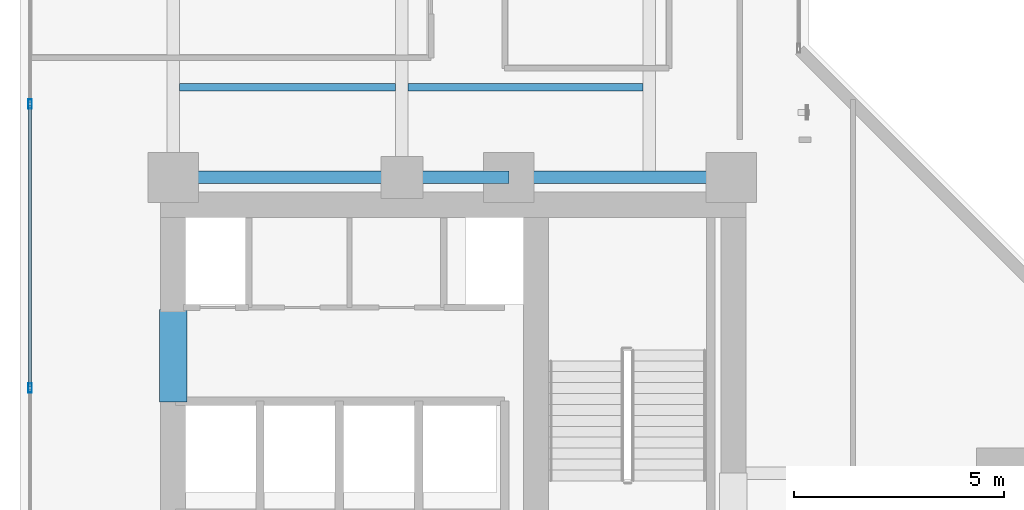
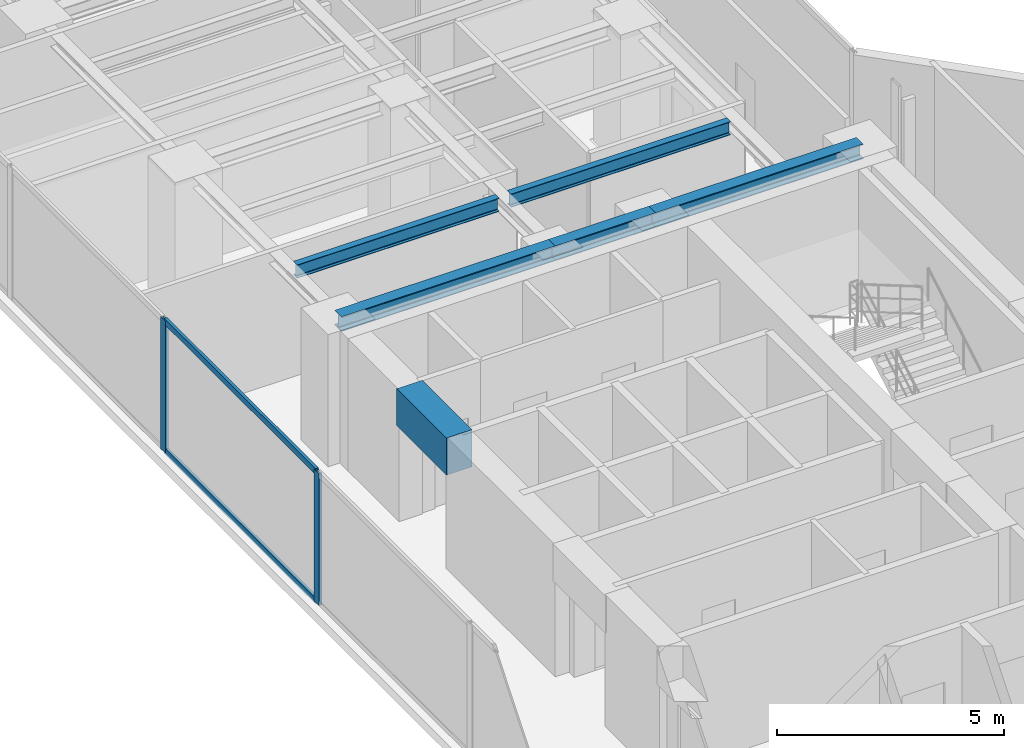
# One storey, part 7 of 27: 6 beams, 4 members, 1 element without a shape of its own.
"""IFC4 building model written with IfcOpenShell, lengths in metres."""

import ifcopenshell
import ifcopenshell.guid

model = None  # the IFC model being written
_history = None  # IfcOwnerHistory: only IFC2X3 demands one
_inside = {}  # id of a spatial element -> (the spatial element, [elements in it])
_under = {}  # id of a project, library or spatial element -> (it, [spatial elements below it])
_declared = {}  # id of a project -> (the project, [libraries it declares])
_typed = {}  # id of a type object -> (the type object, [elements of that type])
_made_of = {}  # id of a material, layer set ... -> (it, [elements and type objects made of it])


def new_model(schema):
    """Start an empty IFC model of exactly this schema.

    Asked for "IFC4X3", IfcOpenShell would pick the latest addendum, in which some entities
    have other attributes; the version numbers below select the first issue.
    IFC2X3 requires an IfcOwnerHistory on every rooted entity: one is made here for all.
    """
    global model, _history
    if schema == "IFC4X3":
        model = ifcopenshell.file(schema_version=(4, 3, 0, 0))
    else:
        model = ifcopenshell.file(schema=schema)
    _inside.clear()
    _under.clear()
    _declared.clear()
    _typed.clear()
    _made_of.clear()
    _history = None
    if model.schema == "IFC2X3":
        org = make("IfcOrganization", Name="unknown")
        user = make(
            "IfcPersonAndOrganization",
            ThePerson=make("IfcPerson", FamilyName="unknown"),
            TheOrganization=org,
        )
        app = make(
            "IfcApplication",
            ApplicationDeveloper=org,
            Version="unknown",
            ApplicationFullName="unknown",
            ApplicationIdentifier="unknown",
        )
        _history = make(
            "IfcOwnerHistory",
            OwningUser=user,
            OwningApplication=app,
            ChangeAction="ADDED",
            CreationDate=0,
        )
    return model


def make(cls, **values):
    """One entity of the class cls with the attributes given. An attribute that is None is left unset."""
    return model.create_entity(
        cls, **{name: value for name, value in values.items() if value is not None}
    )


def rooted(cls, **values):
    """An entity with a GlobalId (a new one), such as an element, a storey or a relation."""
    return make(cls, GlobalId=ifcopenshell.guid.new(), OwnerHistory=_history, **values)


def si_unit(unit_type, name, prefix=None):
    """IfcSIUnit, for example si_unit("LENGTHUNIT", "METRE", prefix="MILLI")."""
    return make("IfcSIUnit", UnitType=unit_type, Prefix=prefix, Name=name)


def assignment(units):
    """IfcUnitAssignment: the units of a project."""
    return None if units is None else make("IfcUnitAssignment", Units=units)


def point(xyz):
    """IfcCartesianPoint."""
    return None if xyz is None else make("IfcCartesianPoint", Coordinates=xyz)


def direction(xyz):
    """IfcDirection."""
    return None if xyz is None else make("IfcDirection", DirectionRatios=xyz)


def frame(location, z_axis=None, x_axis=None):
    """IfcAxis2Placement3D, a coordinate frame: its origin and axes. An axis left out is left unset."""
    return make(
        "IfcAxis2Placement3D",
        Location=point(location),
        Axis=direction(z_axis),
        RefDirection=direction(x_axis),
    )


def frame_2d(location, x_axis=None):
    """IfcAxis2Placement2D, a coordinate frame in the plane: its origin and x axis."""
    return make(
        "IfcAxis2Placement2D", Location=point(location), RefDirection=direction(x_axis)
    )


def origin():
    """The frame at (0, 0, 0) with its axes left unset."""
    return frame((0.0, 0.0, 0.0))


def origin_with_axes():
    """The frame at (0, 0, 0) with the z axis (0, 0, 1) and the x axis (1, 0, 0) written out."""
    return frame((0.0, 0.0, 0.0), z_axis=(0.0, 0.0, 1.0), x_axis=(1.0, 0.0, 0.0))


def origin_2d():
    """The frame at (0, 0) in the plane with its x axis left unset."""
    return frame_2d((0.0, 0.0))


def place(relative_to, where):
    """IfcLocalPlacement: puts the frame where relative to a parent placement (None: the world)."""
    return make(
        "IfcLocalPlacement", PlacementRelTo=relative_to, RelativePlacement=where
    )


def context(
    kind, dimensions, precision=None, world=None, true_north=None, identifier=None
):
    """IfcGeometricRepresentationContext, for example the 3D "Model" context."""
    return make(
        "IfcGeometricRepresentationContext",
        ContextIdentifier=identifier,
        ContextType=kind,
        CoordinateSpaceDimension=dimensions,
        Precision=precision,
        WorldCoordinateSystem=world,
        TrueNorth=true_north,
    )


def subcontext(parent, identifier, kind, view, scale=None):
    """IfcGeometricRepresentationSubContext, for example "Body" below "Model"."""
    return make(
        "IfcGeometricRepresentationSubContext",
        ContextIdentifier=identifier,
        ContextType=kind,
        ParentContext=parent,
        TargetScale=scale,
        TargetView=view,
    )


def project(units=None, contexts=None):
    """IfcProject with its units and contexts."""
    return rooted(
        "IfcProject",
        Name="project",
        RepresentationContexts=contexts,
        UnitsInContext=assignment(units),
    )


def spatial(cls, under=None, at=None, **own):
    """A site, building, storey or space (cls), placed at a placement, below another one or the project."""
    s = rooted(cls, ObjectPlacement=at, **own)
    if under is not None:
        _under.setdefault(under.id(), (under, []))[1].append(s)
    return s


def profile(cls, at=None, kind="AREA", **sizes):
    """A parametric profile (cls). Its sizes go by their IFC names, for example OverallWidth=200.0."""
    return make(cls, ProfileType=kind, Position=at, **sizes)


def rectangle(**sizes):
    """IfcRectangleProfileDef."""
    return profile("IfcRectangleProfileDef", **sizes)


def hollow_rectangle(**sizes):
    """IfcRectangleHollowProfileDef."""
    return profile("IfcRectangleHollowProfileDef", **sizes)


def i_section(**sizes):
    """IfcIShapeProfileDef."""
    return profile("IfcIShapeProfileDef", **sizes)


def extrude(swept, where, along, depth):
    """IfcExtrudedAreaSolid: the profile swept, set in the frame where, extruded along a direction by depth."""
    return make(
        "IfcExtrudedAreaSolid",
        SweptArea=swept,
        Position=where,
        ExtrudedDirection=direction(along),
        Depth=depth,
    )


def shape(context_of_items, identifier, shape_type, items):
    """IfcShapeRepresentation: the items that make up one representation, for example the "Body"."""
    return make(
        "IfcShapeRepresentation",
        ContextOfItems=context_of_items,
        RepresentationIdentifier=identifier,
        RepresentationType=shape_type,
        Items=items,
    )


def source(mapping_origin, context_of_items, identifier, shape_type, items):
    """IfcRepresentationMap: a shape defined once, which mapped items show again and again."""
    return make(
        "IfcRepresentationMap",
        MappingOrigin=mapping_origin,
        MappedRepresentation=shape(context_of_items, identifier, shape_type, items),
    )


def transform(
    local_origin,
    x_axis=None,
    y_axis=None,
    z_axis=None,
    scale=None,
    scale2=None,
    scale3=None,
    uniform=True,
):
    """IfcCartesianTransformationOperator3D, or its non-uniform kind. x_axis, y_axis, z_axis: its Axis1, 2, 3."""
    if uniform:
        return make(
            "IfcCartesianTransformationOperator3D",
            Axis1=direction(x_axis),
            Axis2=direction(y_axis),
            LocalOrigin=point(local_origin),
            Scale=scale,
            Axis3=direction(z_axis),
        )
    return make(
        "IfcCartesianTransformationOperator3DnonUniform",
        Axis1=direction(x_axis),
        Axis2=direction(y_axis),
        LocalOrigin=point(local_origin),
        Scale=scale,
        Axis3=direction(z_axis),
        Scale2=scale2,
        Scale3=scale3,
    )


def mapped(mapping_source, mapping_target):
    """IfcMappedItem: shows the shape of a source again, moved by a transform."""
    return make(
        "IfcMappedItem", MappingSource=mapping_source, MappingTarget=mapping_target
    )


def material(Name=None, Category=None):
    """IfcMaterial."""
    return make("IfcMaterial", Name=Name, Category=Category)


def layer(
    of_material, thickness, ventilated=None, Name=None, Category=None, Priority=None
):
    """IfcMaterialLayer: one layer of a wall or slab, of a material (None: an air gap)."""
    return make(
        "IfcMaterialLayer",
        Material=of_material,
        LayerThickness=thickness,
        IsVentilated=ventilated,
        Name=Name,
        Category=Category,
        Priority=Priority,
    )


def layer_set(layers, Name=None):
    """IfcMaterialLayerSet."""
    return make("IfcMaterialLayerSet", MaterialLayers=layers, LayerSetName=Name)


def material_profile(
    of_material, cross_section, Name=None, Category=None, Priority=None
):
    """IfcMaterialProfile: a cross section and its material."""
    return make(
        "IfcMaterialProfile",
        Name=Name,
        Material=of_material,
        Profile=cross_section,
        Priority=Priority,
        Category=Category,
    )


def profile_set(profiles, Name=None, composite=None):
    """IfcMaterialProfileSet."""
    return make(
        "IfcMaterialProfileSet",
        Name=Name,
        MaterialProfiles=profiles,
        CompositeProfile=composite,
    )


def made_of(thing, what):
    """Note that an element or type object is made of a material, layer set ...; save() writes the relation."""
    if what is not None:
        _made_of.setdefault(what.id(), (what, []))[1].append(thing)
    return thing


def type_object(cls, material=None, **own):
    """A type object (cls), such as IfcWallType, which elements share."""
    return made_of(rooted(cls, **own), material)


def element(
    cls,
    number,
    at=None,
    inside=None,
    cuts=None,
    type_object=None,
    material=None,
    context=None,
    identifier="Body",
    shape_type=None,
    held_by="IfcProductDefinitionShape",
    body=None,
    shapes=None,
    **own,
):
    """One element of the class cls, such as IfcWall. Its Tag is "e" and its number.

    at: its placement. inside: the storey or other place that contains it. cuts: it is an
    opening in that element (IfcRelVoidsElement). A single representation is given by context,
    identifier, shape_type and body (its items); several are given by shapes. held_by: the class
    of the entity that holds the representations. save() writes the other relations.
    """
    e = rooted(cls, Tag="e%d" % number, ObjectPlacement=at, **own)
    if body is not None:
        shapes = [shape(context, identifier, shape_type, body)]
    if shapes is not None:
        e.Representation = make(held_by, Representations=shapes)
    if inside is not None:
        _inside.setdefault(inside.id(), (inside, []))[1].append(e)
    if cuts is not None:
        rooted(
            "IfcRelVoidsElement", RelatingBuildingElement=cuts, RelatedOpeningElement=e
        )
    if type_object is not None:
        _typed.setdefault(type_object.id(), (type_object, []))[1].append(e)
    return made_of(e, material)


def aggregate(whole, parts):
    """IfcRelAggregates: a whole, such as a stair, and the parts it consists of."""
    return rooted("IfcRelAggregates", RelatingObject=whole, RelatedObjects=parts)


def save(model, path):
    """Write the relations noted so far, then the file.

    IfcRelAggregates (storeys below a building ...), IfcRelContainedInSpatialStructure (elements
    in a storey), IfcRelDefinesByType, IfcRelAssociatesMaterial and IfcRelDeclares: one each for
    every whole, place, type object, material and project.
    """
    for whole, parts in _under.values():
        aggregate(whole, parts)
    for where, things in _inside.values():
        rooted(
            "IfcRelContainedInSpatialStructure",
            RelatedElements=things,
            RelatingStructure=where,
        )
    for kind, things in _typed.values():
        rooted("IfcRelDefinesByType", RelatedObjects=things, RelatingType=kind)
    for what, things in _made_of.values():
        rooted("IfcRelAssociatesMaterial", RelatedObjects=things, RelatingMaterial=what)
    for by, libraries in _declared.values():
        rooted("IfcRelDeclares", RelatingContext=by, RelatedDefinitions=libraries)
    model.write(path)


model = new_model("IFC4")

# Units and contexts
model_context = context("Model", 3, precision=1e-05, world=origin(), true_north=direction((0.0, 1.0)))
body_context = subcontext(model_context, "Body", "Model", "MODEL_VIEW")
ifc_project = project(units=[si_unit("LENGTHUNIT", "METRE"), si_unit("AREAUNIT", "SQUARE_METRE"), si_unit("VOLUMEUNIT", "CUBIC_METRE"), si_unit("PLANEANGLEUNIT", "RADIAN"), si_unit("MASSUNIT", "GRAM", prefix="KILO")], contexts=[model_context])

# Site, building, storey
site_placement = place(None, origin())
site = spatial("IfcSite", under=ifc_project, at=site_placement, CompositionType="ELEMENT")
building_placement = place(site_placement, origin())
building = spatial("IfcBuilding", under=site, at=building_placement, Name="Kolvaren Waterfront Exchange", CompositionType="ELEMENT")
storey_placement = place(building_placement, frame((0.0, 0.0, 191.800048828125)))
storey = spatial("IfcBuildingStorey", under=building, at=storey_placement, Name="L49", CompositionType="ELEMENT", Elevation=191.800048828125)

# Beams
ifc_material_1 = material(Name="Steel S355", Category="steel")
ifc_material_profile_1 = material_profile(ifc_material_1, i_section(OverallWidth=0.300048828125, OverallDepth=0.39990234375, WebThickness=0.013427734375, FlangeThickness=0.02392578125, FilletRadius=0.027099609375, at=origin_2d()), Name="HEB400")
ifc_profile_set_1 = profile_set([ifc_material_profile_1], Name="Steel S355")
beam_type_1 = type_object("IfcBeamType", Name="STR-BM-HEB400", PredefinedType="BEAM", material=ifc_profile_set_1)
beam_1_placement = place(storey_placement, frame((7.449951171875, 24.449951171875, 3.35986328125), z_axis=(1.0, 0.0, 0.0), x_axis=(0.0, 1.0, 0.0)))
element("IfcBeam", 1, at=beam_1_placement, inside=storey, type_object=beam_type_1, Name="L49 north-arm girder 1A", PredefinedType="BEAM", context=body_context, shape_type="SweptSolid", body=[
    extrude(i_section(OverallWidth=0.300048828125, OverallDepth=0.39990234375, WebThickness=0.013427734375, FlangeThickness=0.02392578125, FilletRadius=0.027099609375, at=origin_2d()), origin(), (0.0, 0.0, 1.0), 5.449951171875),
])
beam_2_placement = place(storey_placement, frame((12.89990234375, 24.449951171875, 3.35986328125), z_axis=(1.0, 0.0, 0.0), x_axis=(0.0, 1.0, 0.0)))
element("IfcBeam", 2, at=beam_2_placement, inside=storey, type_object=beam_type_1, Name="L49 north-arm girder 1B", PredefinedType="BEAM", context=body_context, shape_type="SweptSolid", body=[
    extrude(i_section(OverallWidth=0.300048828125, OverallDepth=0.39990234375, WebThickness=0.013427734375, FlangeThickness=0.02392578125, FilletRadius=0.027099609375, at=origin_2d()), origin(), (0.0, 0.0, 1.0), 2.550048828125),
])
beam_3_placement = place(storey_placement, frame((15.449951171875, 24.449951171875, 3.35986328125), z_axis=(1.0, 0.0, 0.0), x_axis=(0.0, 1.0, 0.0)))
element("IfcBeam", 3, at=beam_3_placement, inside=storey, type_object=beam_type_1, Name="L49 north-arm girder 1C", PredefinedType="BEAM", context=body_context, shape_type="SweptSolid", body=[
    extrude(i_section(OverallWidth=0.300048828125, OverallDepth=0.39990234375, WebThickness=0.013427734375, FlangeThickness=0.02392578125, FilletRadius=0.027099609375, at=origin_2d()), origin(), (0.0, 0.0, 1.0), 5.300048828125),
])
ifc_material_profile_2 = material_profile(ifc_material_1, i_section(OverallWidth=0.169921875, OverallDepth=0.360107421875, WebThickness=0.008056640625, FlangeThickness=0.0126953125, FilletRadius=0.01806640625, at=origin_2d()), Name="IPE360")
ifc_profile_set_2 = profile_set([ifc_material_profile_2], Name="Steel S355")
beam_type_2 = type_object("IfcBeamType", Name="STR-BM-IPE360", PredefinedType="JOIST", material=ifc_profile_set_2)
beam_4_placement = place(storey_placement, frame((7.60205078125, 26.60009765625, 3.3798828125), z_axis=(1.0, 0.0, 0.0), x_axis=(0.0, 1.0, 0.0)))
element("IfcBeam", 4, at=beam_4_placement, inside=storey, type_object=beam_type_2, Name="L49 north-arm composite joist 1A", PredefinedType="JOIST", context=body_context, shape_type="SweptSolid", body=[
    extrude(i_section(OverallWidth=0.169921875, OverallDepth=0.360107421875, WebThickness=0.008056640625, FlangeThickness=0.0126953125, FilletRadius=0.01806640625, at=origin_2d()), origin(), (0.0, 0.0, 1.0), 5.14599609375),
])
beam_5_placement = place(storey_placement, frame((13.052001953125, 26.60009765625, 3.3798828125), z_axis=(1.0, 0.0, 0.0), x_axis=(0.0, 1.0, 0.0)))
element("IfcBeam", 5, at=beam_5_placement, inside=storey, type_object=beam_type_2, Name="L49 north-arm composite joist 1B", PredefinedType="JOIST", context=body_context, shape_type="SweptSolid", body=[
    extrude(i_section(OverallWidth=0.169921875, OverallDepth=0.360107421875, WebThickness=0.008056640625, FlangeThickness=0.0126953125, FilletRadius=0.01806640625, at=origin_2d()), origin(), (0.0, 0.0, 1.0), 5.595947265625),
])
ifc_material_2 = material(Name="Concrete C60/75", Category="concrete")
ifc_material_profile_3 = material_profile(ifc_material_2, rectangle(XDim=0.64990234375, YDim=1.0, at=origin_2d()), Name="RC-CB-1000x650")
ifc_profile_set_3 = profile_set([ifc_material_profile_3], Name="Concrete C60/75")
beam_type_3 = type_object("IfcBeamType", Name="STR-CB-1000", PredefinedType="SPANDREL", material=ifc_profile_set_3)
beam_6_placement = place(storey_placement, frame((7.449951171875, 19.10009765625, 3.06005859375), z_axis=(0.0, 1.0, 0.0), x_axis=(-1.0, 0.0, 0.0)))
element("IfcBeam", 6, at=beam_6_placement, inside=storey, type_object=beam_type_3, Name="L49 core coupling beam 5", PredefinedType="SPANDREL", context=body_context, shape_type="SweptSolid", body=[
    extrude(rectangle(XDim=0.64990234375, YDim=1.0, at=origin_2d()), origin(), (0.0, 0.0, 1.0), 2.199951171875),
])

# Curtain wall, members
ifc_material_3 = material(Name="Anodised aluminium 6063-T6", Category="aluminium")
ifc_layer = layer(ifc_material_3, 0.219970703125, Name="Anodised aluminium 6063-T6")
ifc_layer_set = layer_set([ifc_layer], Name="Anodised aluminium 6063-T6")
curtain_wall_type = type_object("IfcCurtainWallType", Name="ARC-CW-SYS2", PredefinedType="USERDEFINED", material=ifc_layer_set)
curtain_wall_placement = place(storey_placement, origin())
curtain_wall = element("IfcCurtainWall", 7, at=curtain_wall_placement, inside=storey, type_object=curtain_wall_type, Name="L49 stick curtain wall CW2 (CW-L49-W)", ObjectType="STICK CURTAIN WALL", PredefinedType="USERDEFINED")
ifc_material_profile_4 = material_profile(ifc_material_3, hollow_rectangle(XDim=0.080078125, YDim=0.219970703125, WallThickness=0.0048828125, at=origin_2d()), Name="ALU-MUL-220x80x5")
ifc_profile_set_4 = profile_set([ifc_material_profile_4], Name="Anodised aluminium 6063-T6")
member_type_1 = type_object("IfcMemberType", Name="ARC-CWM-220", PredefinedType="MULLION", material=ifc_profile_set_4)
shared_shape_1 = source(origin_with_axes(), body_context, "Body", "SweptSolid", [
    extrude(hollow_rectangle(XDim=0.080078125, YDim=0.219970703125, WallThickness=0.0048828125, at=origin_2d()), origin(), (0.0, 0.0, 1.0), 3.56005859375),
])
member_1_placement = place(storey_placement, frame((4.0400390625, 19.433349609375, 0.0), z_axis=(0.0, 0.0, 1.0), x_axis=(-1.0, 0.0, 0.0)))
member_1 = element("IfcMember", 8, at=member_1_placement, type_object=member_type_1, Name="CW2 mullion 3", PredefinedType="MULLION", context=body_context, shape_type="MappedRepresentation", body=[
    mapped(shared_shape_1, transform((0.0, 0.0, 0.0), x_axis=(1.0, 0.0, 0.0), y_axis=(0.0, 1.0, 0.0), z_axis=(0.0, 0.0, 1.0), scale=1.0)),
])
member_2_placement = place(storey_placement, frame((4.0400390625, 26.199951171875, 0.0), z_axis=(0.0, 0.0, 1.0), x_axis=(-1.0, 0.0, 0.0)))
member_2 = element("IfcMember", 9, at=member_2_placement, type_object=member_type_1, Name="CW2 mullion 4", PredefinedType="MULLION", context=body_context, shape_type="MappedRepresentation", body=[
    mapped(shared_shape_1, transform((0.0, 0.0, 0.0), x_axis=(1.0, 0.0, 0.0), y_axis=(0.0, 1.0, 0.0), z_axis=(0.0, 0.0, 1.0), scale=1.0)),
])
ifc_material_profile_5 = material_profile(ifc_material_3, hollow_rectangle(XDim=0.074951171875, YDim=0.159912109375, WallThickness=0.00439453125, at=origin_2d()), Name="ALU-TRN-160x75x4.5")
ifc_profile_set_5 = profile_set([ifc_material_profile_5], Name="Anodised aluminium 6063-T6")
member_type_2 = type_object("IfcMemberType", Name="ARC-CWT-160", PredefinedType="USERDEFINED", material=ifc_profile_set_5)
shared_shape_2 = source(origin_with_axes(), body_context, "Body", "SweptSolid", [
    extrude(hollow_rectangle(XDim=0.074951171875, YDim=0.159912109375, WallThickness=0.00439453125, at=origin_2d()), origin(), (0.0, 0.0, 1.0), 6.6865234375),
])
member_3_placement = place(storey_placement, frame((4.0400390625, 19.473388671875, 0.037353515625), z_axis=(0.0, 1.0, 0.0), x_axis=(-1.0, 0.0, 0.0)))
member_3 = element("IfcMember", 10, at=member_3_placement, type_object=member_type_2, Name="CW2 transom 3.1", ObjectType="TRANSOM", PredefinedType="USERDEFINED", context=body_context, shape_type="MappedRepresentation", body=[
    mapped(shared_shape_2, transform((0.0, 0.0, 0.0), x_axis=(1.0, 0.0, 0.0), y_axis=(0.0, 1.0, 0.0), z_axis=(0.0, 0.0, 1.0), scale=1.0)),
])
member_4_placement = place(storey_placement, frame((4.0400390625, 19.473388671875, 3.5224609375), z_axis=(0.0, 1.0, 0.0), x_axis=(-1.0, 0.0, 0.0)))
member_4 = element("IfcMember", 11, at=member_4_placement, type_object=member_type_2, Name="CW2 transom 3.2", ObjectType="TRANSOM", PredefinedType="USERDEFINED", context=body_context, shape_type="MappedRepresentation", body=[
    mapped(shared_shape_2, transform((0.0, 0.0, 0.0), x_axis=(1.0, 0.0, 0.0), y_axis=(0.0, 1.0, 0.0), z_axis=(0.0, 0.0, 1.0), scale=1.0)),
])
aggregate(curtain_wall, [member_1, member_2, member_3, member_4])

save(model, "model.ifc")
